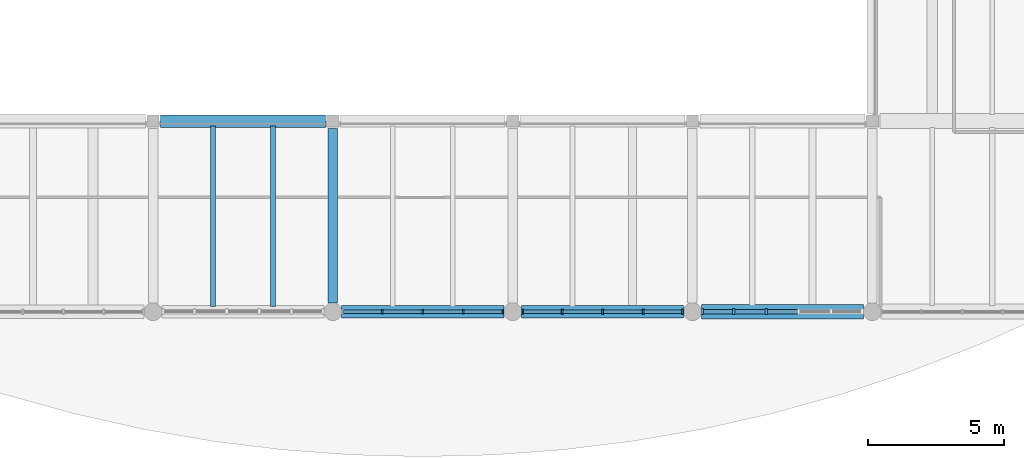
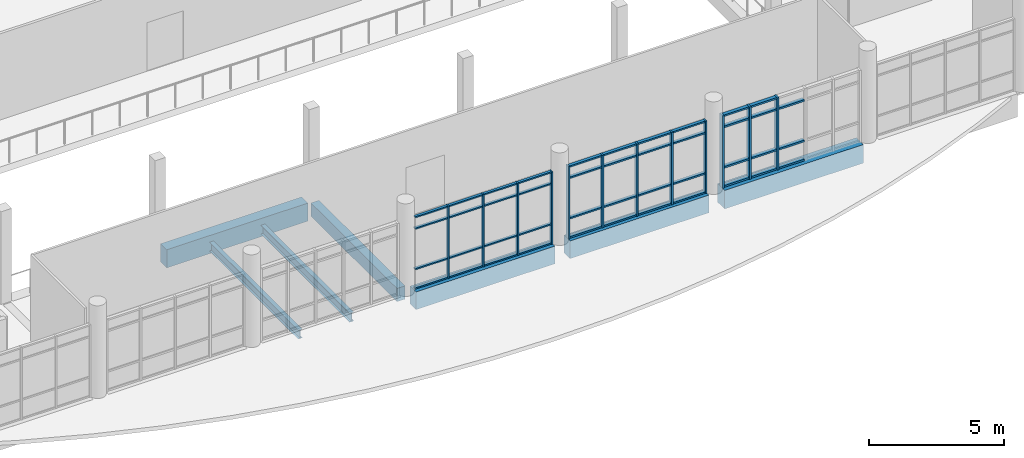
# One storey, part 9 of 92: 55 members, 7 beams, 3 elements without a shape of their own.
"""IFC4 building model written with IfcOpenShell, lengths in metres."""

from ifc_helpers import new_model, si_unit, direction, frame, origin, origin_2d, place, context, subcontext, project, spatial, rectangle, i_section, extrude, material, material_profile, profile_set, type_object, element, aggregate, save


model = new_model("IFC4")

# Units and contexts
model_context = context("Model", 3, precision=1e-05, world=origin(), true_north=direction((0.0, 1.0)))
body_context = subcontext(model_context, "Body", "Model", "MODEL_VIEW")
ifc_project = project(units=[si_unit("LENGTHUNIT", "METRE"), si_unit("AREAUNIT", "SQUARE_METRE"), si_unit("VOLUMEUNIT", "CUBIC_METRE"), si_unit("PLANEANGLEUNIT", "RADIAN"), si_unit("MASSUNIT", "GRAM", prefix="KILO")], contexts=[model_context])

# Site, building, storey
site_placement = place(None, origin())
site = spatial("IfcSite", under=ifc_project, at=site_placement, CompositionType="ELEMENT")
building_placement = place(site_placement, origin())
building = spatial("IfcBuilding", under=site, at=building_placement, Name="Ciguamira Faculty of Natural Sciences", CompositionType="ELEMENT")
storey_placement = place(building_placement, frame((0.0, 0.0, 16.800048828125)))
storey = spatial("IfcBuildingStorey", under=building, at=storey_placement, Name="L04", CompositionType="ELEMENT", Elevation=16.800048828125)

# Curtain wall, members
ifc_material_1 = material(Name="Anodized aluminium curtain wall", Category="aluminium")
curtain_wall_type_1 = type_object("IfcCurtainWallType", Name="CurtainWall_CW-01", PredefinedType="USERDEFINED", material=ifc_material_1)
curtain_wall_1_placement = place(storey_placement, origin())
curtain_wall_1 = element("IfcCurtainWall", 1, at=curtain_wall_1_placement, inside=storey, type_object=curtain_wall_type_1, Name="L04 unitised curtain wall 0109", ObjectType="UNITISED CURTAIN WALL", PredefinedType="USERDEFINED")
ifc_material_2 = material(Name="Anodized aluminium mullion", Category="aluminium")
ifc_material_profile_1 = material_profile(ifc_material_2, rectangle(XDim=0.06005859375, YDim=0.159912109375, at=origin_2d()), Name="ALU-MUL-60X160")
ifc_profile_set_1 = profile_set([ifc_material_profile_1], Name="Anodized aluminium mullion")
member_type_1 = type_object("IfcMemberType", Name="CWMullion_CWM-01", PredefinedType="MULLION", material=ifc_profile_set_1)
member_1_placement = place(storey_placement, frame((85.512451171875, 10.0, 0.0), z_axis=(0.0, 0.0, 1.0), x_axis=(1.0, 0.0, 0.0)))
member_1 = element("IfcMember", 2, at=member_1_placement, type_object=member_type_1, Name="CW-01 mullion 2", PredefinedType="MULLION", context=body_context, shape_type="SweptSolid", body=[
    extrude(rectangle(XDim=0.06005859375, YDim=0.159912109375, at=origin_2d()), origin(), (0.0, 0.0, 1.0), 3.284912109375),
])
member_2_placement = place(storey_placement, frame((87.0, 10.0, 0.0), z_axis=(0.0, 0.0, 1.0), x_axis=(1.0, 0.0, 0.0)))
member_2 = element("IfcMember", 3, at=member_2_placement, type_object=member_type_1, Name="CW-01 mullion 3", PredefinedType="MULLION", context=body_context, shape_type="SweptSolid", body=[
    extrude(rectangle(XDim=0.06005859375, YDim=0.159912109375, at=origin_2d()), origin(), (0.0, 0.0, 1.0), 3.284912109375),
])
member_3_placement = place(storey_placement, frame((88.487548828125, 10.0, 0.0), z_axis=(0.0, 0.0, 1.0), x_axis=(1.0, 0.0, 0.0)))
member_3 = element("IfcMember", 4, at=member_3_placement, type_object=member_type_1, Name="CW-01 mullion 4", PredefinedType="MULLION", context=body_context, shape_type="SweptSolid", body=[
    extrude(rectangle(XDim=0.06005859375, YDim=0.159912109375, at=origin_2d()), origin(), (0.0, 0.0, 1.0), 3.284912109375),
])
member_4_placement = place(storey_placement, frame((89.945068359375, 10.0, 0.0), z_axis=(0.0, 0.0, 1.0), x_axis=(1.0, 0.0, 0.0)))
member_4 = element("IfcMember", 5, at=member_4_placement, type_object=member_type_1, Name="CW-01 mullion 5", PredefinedType="MULLION", context=body_context, shape_type="SweptSolid", body=[
    extrude(rectangle(XDim=0.06005859375, YDim=0.159912109375, at=origin_2d()), origin(), (0.0, 0.0, 1.0), 3.284912109375),
])

curtain_wall_type_2 = type_object("IfcCurtainWallType", Name="CurtainWall_CW-02", PredefinedType="USERDEFINED", material=ifc_material_1)
curtain_wall_2_placement = place(storey_placement, origin())
curtain_wall_2 = element("IfcCurtainWall", 6, at=curtain_wall_2_placement, inside=storey, type_object=curtain_wall_type_2, Name="L04 unitised curtain wall 0110", ObjectType="UNITISED CURTAIN WALL", PredefinedType="USERDEFINED")
ifc_material_profile_2 = material_profile(ifc_material_2, rectangle(XDim=0.070068359375, YDim=0.179931640625, at=origin_2d()), Name="ALU-MUL-70X180")
ifc_profile_set_2 = profile_set([ifc_material_profile_2], Name="Anodized aluminium mullion")
member_type_2 = type_object("IfcMemberType", Name="CWMullion_CWM-02", PredefinedType="MULLION", material=ifc_profile_set_2)
member_5_placement = place(storey_placement, frame((90.659912109375, 10.0, 0.0), z_axis=(0.0, 0.0, 1.0), x_axis=(1.0, 0.0, 0.0)))
member_5 = element("IfcMember", 7, at=member_5_placement, type_object=member_type_2, Name="CW-02 mullion 1", PredefinedType="MULLION", context=body_context, shape_type="SweptSolid", body=[
    extrude(rectangle(XDim=0.070068359375, YDim=0.179931640625, at=origin_2d()), origin(), (0.0, 0.0, 1.0), 3.284912109375),
])
member_6_placement = place(storey_placement, frame((92.112548828125, 10.0, 0.0), z_axis=(0.0, 0.0, 1.0), x_axis=(1.0, 0.0, 0.0)))
member_6 = element("IfcMember", 8, at=member_6_placement, type_object=member_type_2, Name="CW-02 mullion 2", PredefinedType="MULLION", context=body_context, shape_type="SweptSolid", body=[
    extrude(rectangle(XDim=0.070068359375, YDim=0.179931640625, at=origin_2d()), origin(), (0.0, 0.0, 1.0), 3.284912109375),
])
member_7_placement = place(storey_placement, frame((93.60009765625, 10.0, 0.0), z_axis=(0.0, 0.0, 1.0), x_axis=(1.0, 0.0, 0.0)))
member_7 = element("IfcMember", 9, at=member_7_placement, type_object=member_type_2, Name="CW-02 mullion 3", PredefinedType="MULLION", context=body_context, shape_type="SweptSolid", body=[
    extrude(rectangle(XDim=0.070068359375, YDim=0.179931640625, at=origin_2d()), origin(), (0.0, 0.0, 1.0), 3.284912109375),
])
member_8_placement = place(storey_placement, frame((95.08740234375, 10.0, 0.0), z_axis=(0.0, 0.0, 1.0), x_axis=(1.0, 0.0, 0.0)))
member_8 = element("IfcMember", 10, at=member_8_placement, type_object=member_type_2, Name="CW-02 mullion 4", PredefinedType="MULLION", context=body_context, shape_type="SweptSolid", body=[
    extrude(rectangle(XDim=0.070068359375, YDim=0.179931640625, at=origin_2d()), origin(), (0.0, 0.0, 1.0), 3.284912109375),
])
member_9_placement = place(storey_placement, frame((96.5400390625, 10.0, 0.0), z_axis=(0.0, 0.0, 1.0), x_axis=(1.0, 0.0, 0.0)))
member_9 = element("IfcMember", 11, at=member_9_placement, type_object=member_type_2, Name="CW-02 mullion 5", PredefinedType="MULLION", context=body_context, shape_type="SweptSolid", body=[
    extrude(rectangle(XDim=0.070068359375, YDim=0.179931640625, at=origin_2d()), origin(), (0.0, 0.0, 1.0), 3.284912109375),
])

curtain_wall_type_3 = type_object("IfcCurtainWallType", Name="CurtainWall_CW-03", PredefinedType="USERDEFINED", material=ifc_material_1)
curtain_wall_3_placement = place(storey_placement, origin())
curtain_wall_3 = element("IfcCurtainWall", 12, at=curtain_wall_3_placement, inside=storey, type_object=curtain_wall_type_3, Name="L04 unitised curtain wall 0111", ObjectType="UNITISED CURTAIN WALL", PredefinedType="USERDEFINED")
ifc_material_profile_3 = material_profile(ifc_material_2, rectangle(XDim=0.080078125, YDim=0.219970703125, at=origin_2d()), Name="ALU-MUL-80X220")
ifc_profile_set_3 = profile_set([ifc_material_profile_3], Name="Anodized aluminium mullion")
member_type_3 = type_object("IfcMemberType", Name="CWMullion_CWM-03", PredefinedType="MULLION", material=ifc_profile_set_3)
member_10_placement = place(storey_placement, frame((97.264892578125, 10.0, 0.0), z_axis=(0.0, 0.0, 1.0), x_axis=(1.0, 0.0, 0.0)))
member_10 = element("IfcMember", 13, at=member_10_placement, type_object=member_type_3, Name="CW-03 mullion 1", PredefinedType="MULLION", context=body_context, shape_type="SweptSolid", body=[
    extrude(rectangle(XDim=0.080078125, YDim=0.219970703125, at=origin_2d()), origin(), (0.0, 0.0, 1.0), 3.284912109375),
])
member_11_placement = place(storey_placement, frame((98.4150390625, 10.0, 0.0), z_axis=(0.0, 0.0, 1.0), x_axis=(1.0, 0.0, 0.0)))
member_11 = element("IfcMember", 14, at=member_11_placement, type_object=member_type_3, Name="CW-03 mullion 2", PredefinedType="MULLION", context=body_context, shape_type="SweptSolid", body=[
    extrude(rectangle(XDim=0.080078125, YDim=0.219970703125, at=origin_2d()), origin(), (0.0, 0.0, 1.0), 3.284912109375),
])
member_12_placement = place(storey_placement, frame((99.60498046875, 10.0, 0.0), z_axis=(0.0, 0.0, 1.0), x_axis=(1.0, 0.0, 0.0)))
member_12 = element("IfcMember", 15, at=member_12_placement, type_object=member_type_3, Name="CW-03 mullion 3", PredefinedType="MULLION", context=body_context, shape_type="SweptSolid", body=[
    extrude(rectangle(XDim=0.080078125, YDim=0.219970703125, at=origin_2d()), origin(), (0.0, 0.0, 1.0), 3.284912109375),
])

# Member
ifc_material_3 = material(Name="Anodized aluminium transom", Category="aluminium")
ifc_material_profile_4 = material_profile(ifc_material_3, rectangle(XDim=0.06005859375, YDim=0.1201171875, at=origin_2d()), Name="ALU-TRN-60X120")
ifc_profile_set_4 = profile_set([ifc_material_profile_4], Name="Anodized aluminium transom")
member_type_4 = type_object("IfcMemberType", Name="CWTransom_CWT-01", PredefinedType="USERDEFINED", material=ifc_profile_set_4)
member_13_placement = place(storey_placement, frame((84.0849609375, 10.0, 0.030029296875), z_axis=(1.0, 0.0, 0.0), x_axis=(0.0, 0.0, 1.0)))
member_13 = element("IfcMember", 16, at=member_13_placement, type_object=member_type_4, Name="CW-01 transom 1.1", ObjectType="TRANSOM", PredefinedType="USERDEFINED", context=body_context, shape_type="SweptSolid", body=[
    extrude(rectangle(XDim=0.06005859375, YDim=0.1201171875, at=origin_2d()), origin(), (0.0, 0.0, 1.0), 1.3974609375),
])

member_14_placement = place(storey_placement, frame((84.0849609375, 10.0, 0.89990234375), z_axis=(1.0, 0.0, 0.0), x_axis=(0.0, 0.0, 1.0)))
member_14 = element("IfcMember", 17, at=member_14_placement, type_object=member_type_4, Name="CW-01 transom 1.2", ObjectType="TRANSOM", PredefinedType="USERDEFINED", context=body_context, shape_type="SweptSolid", body=[
    extrude(rectangle(XDim=0.06005859375, YDim=0.1201171875, at=origin_2d()), origin(), (0.0, 0.0, 1.0), 1.3974609375),
])

member_15_placement = place(storey_placement, frame((84.0849609375, 10.0, 2.73486328125), z_axis=(1.0, 0.0, 0.0), x_axis=(0.0, 0.0, 1.0)))
member_15 = element("IfcMember", 18, at=member_15_placement, type_object=member_type_4, Name="CW-01 transom 1.3", ObjectType="TRANSOM", PredefinedType="USERDEFINED", context=body_context, shape_type="SweptSolid", body=[
    extrude(rectangle(XDim=0.06005859375, YDim=0.1201171875, at=origin_2d()), origin(), (0.0, 0.0, 1.0), 1.3974609375),
])

member_16_placement = place(storey_placement, frame((84.0849609375, 10.0, 3.2548828125), z_axis=(1.0, 0.0, 0.0), x_axis=(0.0, 0.0, 1.0)))
member_16 = element("IfcMember", 19, at=member_16_placement, type_object=member_type_4, Name="CW-01 transom 1.4", ObjectType="TRANSOM", PredefinedType="USERDEFINED", context=body_context, shape_type="SweptSolid", body=[
    extrude(rectangle(XDim=0.06005859375, YDim=0.1201171875, at=origin_2d()), origin(), (0.0, 0.0, 1.0), 1.3974609375),
])

member_17_placement = place(storey_placement, frame((85.54248046875, 10.0, 0.030029296875), z_axis=(1.0, 0.0, 0.0), x_axis=(0.0, 0.0, 1.0)))
member_17 = element("IfcMember", 20, at=member_17_placement, type_object=member_type_4, Name="CW-01 transom 2.1", ObjectType="TRANSOM", PredefinedType="USERDEFINED", context=body_context, shape_type="SweptSolid", body=[
    extrude(rectangle(XDim=0.06005859375, YDim=0.1201171875, at=origin_2d()), origin(), (0.0, 0.0, 1.0), 1.427490234375),
])

member_18_placement = place(storey_placement, frame((85.54248046875, 10.0, 0.89990234375), z_axis=(1.0, 0.0, 0.0), x_axis=(0.0, 0.0, 1.0)))
member_18 = element("IfcMember", 21, at=member_18_placement, type_object=member_type_4, Name="CW-01 transom 2.2", ObjectType="TRANSOM", PredefinedType="USERDEFINED", context=body_context, shape_type="SweptSolid", body=[
    extrude(rectangle(XDim=0.06005859375, YDim=0.1201171875, at=origin_2d()), origin(), (0.0, 0.0, 1.0), 1.427490234375),
])

member_19_placement = place(storey_placement, frame((85.54248046875, 10.0, 2.73486328125), z_axis=(1.0, 0.0, 0.0), x_axis=(0.0, 0.0, 1.0)))
member_19 = element("IfcMember", 22, at=member_19_placement, type_object=member_type_4, Name="CW-01 transom 2.3", ObjectType="TRANSOM", PredefinedType="USERDEFINED", context=body_context, shape_type="SweptSolid", body=[
    extrude(rectangle(XDim=0.06005859375, YDim=0.1201171875, at=origin_2d()), origin(), (0.0, 0.0, 1.0), 1.427490234375),
])

member_20_placement = place(storey_placement, frame((85.54248046875, 10.0, 3.2548828125), z_axis=(1.0, 0.0, 0.0), x_axis=(0.0, 0.0, 1.0)))
member_20 = element("IfcMember", 23, at=member_20_placement, type_object=member_type_4, Name="CW-01 transom 2.4", ObjectType="TRANSOM", PredefinedType="USERDEFINED", context=body_context, shape_type="SweptSolid", body=[
    extrude(rectangle(XDim=0.06005859375, YDim=0.1201171875, at=origin_2d()), origin(), (0.0, 0.0, 1.0), 1.427490234375),
])

member_21_placement = place(storey_placement, frame((87.030029296875, 10.0, 0.030029296875), z_axis=(1.0, 0.0, 0.0), x_axis=(0.0, 0.0, 1.0)))
member_21 = element("IfcMember", 24, at=member_21_placement, type_object=member_type_4, Name="CW-01 transom 3.1", ObjectType="TRANSOM", PredefinedType="USERDEFINED", context=body_context, shape_type="SweptSolid", body=[
    extrude(rectangle(XDim=0.06005859375, YDim=0.1201171875, at=origin_2d()), origin(), (0.0, 0.0, 1.0), 1.427490234375),
])

member_22_placement = place(storey_placement, frame((87.030029296875, 10.0, 0.89990234375), z_axis=(1.0, 0.0, 0.0), x_axis=(0.0, 0.0, 1.0)))
member_22 = element("IfcMember", 25, at=member_22_placement, type_object=member_type_4, Name="CW-01 transom 3.2", ObjectType="TRANSOM", PredefinedType="USERDEFINED", context=body_context, shape_type="SweptSolid", body=[
    extrude(rectangle(XDim=0.06005859375, YDim=0.1201171875, at=origin_2d()), origin(), (0.0, 0.0, 1.0), 1.427490234375),
])

member_23_placement = place(storey_placement, frame((87.030029296875, 10.0, 2.73486328125), z_axis=(1.0, 0.0, 0.0), x_axis=(0.0, 0.0, 1.0)))
member_23 = element("IfcMember", 26, at=member_23_placement, type_object=member_type_4, Name="CW-01 transom 3.3", ObjectType="TRANSOM", PredefinedType="USERDEFINED", context=body_context, shape_type="SweptSolid", body=[
    extrude(rectangle(XDim=0.06005859375, YDim=0.1201171875, at=origin_2d()), origin(), (0.0, 0.0, 1.0), 1.427490234375),
])

member_24_placement = place(storey_placement, frame((87.030029296875, 10.0, 3.2548828125), z_axis=(1.0, 0.0, 0.0), x_axis=(0.0, 0.0, 1.0)))
member_24 = element("IfcMember", 27, at=member_24_placement, type_object=member_type_4, Name="CW-01 transom 3.4", ObjectType="TRANSOM", PredefinedType="USERDEFINED", context=body_context, shape_type="SweptSolid", body=[
    extrude(rectangle(XDim=0.06005859375, YDim=0.1201171875, at=origin_2d()), origin(), (0.0, 0.0, 1.0), 1.427490234375),
])

member_25_placement = place(storey_placement, frame((88.517578125, 10.0, 0.030029296875), z_axis=(1.0, 0.0, 0.0), x_axis=(0.0, 0.0, 1.0)))
member_25 = element("IfcMember", 28, at=member_25_placement, type_object=member_type_4, Name="CW-01 transom 4.1", ObjectType="TRANSOM", PredefinedType="USERDEFINED", context=body_context, shape_type="SweptSolid", body=[
    extrude(rectangle(XDim=0.06005859375, YDim=0.1201171875, at=origin_2d()), origin(), (0.0, 0.0, 1.0), 1.3974609375),
])

member_26_placement = place(storey_placement, frame((88.517578125, 10.0, 0.89990234375), z_axis=(1.0, 0.0, 0.0), x_axis=(0.0, 0.0, 1.0)))
member_26 = element("IfcMember", 29, at=member_26_placement, type_object=member_type_4, Name="CW-01 transom 4.2", ObjectType="TRANSOM", PredefinedType="USERDEFINED", context=body_context, shape_type="SweptSolid", body=[
    extrude(rectangle(XDim=0.06005859375, YDim=0.1201171875, at=origin_2d()), origin(), (0.0, 0.0, 1.0), 1.3974609375),
])

member_27_placement = place(storey_placement, frame((88.517578125, 10.0, 2.73486328125), z_axis=(1.0, 0.0, 0.0), x_axis=(0.0, 0.0, 1.0)))
member_27 = element("IfcMember", 30, at=member_27_placement, type_object=member_type_4, Name="CW-01 transom 4.3", ObjectType="TRANSOM", PredefinedType="USERDEFINED", context=body_context, shape_type="SweptSolid", body=[
    extrude(rectangle(XDim=0.06005859375, YDim=0.1201171875, at=origin_2d()), origin(), (0.0, 0.0, 1.0), 1.3974609375),
])

member_28_placement = place(storey_placement, frame((88.517578125, 10.0, 3.2548828125), z_axis=(1.0, 0.0, 0.0), x_axis=(0.0, 0.0, 1.0)))
member_28 = element("IfcMember", 31, at=member_28_placement, type_object=member_type_4, Name="CW-01 transom 4.4", ObjectType="TRANSOM", PredefinedType="USERDEFINED", context=body_context, shape_type="SweptSolid", body=[
    extrude(rectangle(XDim=0.06005859375, YDim=0.1201171875, at=origin_2d()), origin(), (0.0, 0.0, 1.0), 1.3974609375),
])

aggregate(curtain_wall_1, [member_1, member_2, member_3, member_4, member_13, member_14, member_15, member_16, member_17, member_18, member_19, member_20, member_21, member_22, member_23, member_24, member_25, member_26, member_27, member_28])

ifc_material_profile_5 = material_profile(ifc_material_3, rectangle(XDim=0.070068359375, YDim=0.139892578125, at=origin_2d()), Name="ALU-TRN-70X140")
ifc_profile_set_5 = profile_set([ifc_material_profile_5], Name="Anodized aluminium transom")
member_type_5 = type_object("IfcMemberType", Name="CWTransom_CWT-02", PredefinedType="USERDEFINED", material=ifc_profile_set_5)
member_29_placement = place(storey_placement, frame((90.695068359375, 10.0, 0.034912109375), z_axis=(1.0, 0.0, 0.0), x_axis=(0.0, 0.0, 1.0)))
member_29 = element("IfcMember", 32, at=member_29_placement, type_object=member_type_5, Name="CW-02 transom 1.1", ObjectType="TRANSOM", PredefinedType="USERDEFINED", context=body_context, shape_type="SweptSolid", body=[
    extrude(rectangle(XDim=0.070068359375, YDim=0.139892578125, at=origin_2d()), origin(), (0.0, 0.0, 1.0), 1.38232421875),
])

member_30_placement = place(storey_placement, frame((90.695068359375, 10.0, 0.89990234375), z_axis=(1.0, 0.0, 0.0), x_axis=(0.0, 0.0, 1.0)))
member_30 = element("IfcMember", 33, at=member_30_placement, type_object=member_type_5, Name="CW-02 transom 1.2", ObjectType="TRANSOM", PredefinedType="USERDEFINED", context=body_context, shape_type="SweptSolid", body=[
    extrude(rectangle(XDim=0.070068359375, YDim=0.139892578125, at=origin_2d()), origin(), (0.0, 0.0, 1.0), 1.38232421875),
])

member_31_placement = place(storey_placement, frame((90.695068359375, 10.0, 2.73486328125), z_axis=(1.0, 0.0, 0.0), x_axis=(0.0, 0.0, 1.0)))
member_31 = element("IfcMember", 34, at=member_31_placement, type_object=member_type_5, Name="CW-02 transom 1.3", ObjectType="TRANSOM", PredefinedType="USERDEFINED", context=body_context, shape_type="SweptSolid", body=[
    extrude(rectangle(XDim=0.070068359375, YDim=0.139892578125, at=origin_2d()), origin(), (0.0, 0.0, 1.0), 1.38232421875),
])

member_32_placement = place(storey_placement, frame((90.695068359375, 10.0, 3.25), z_axis=(1.0, 0.0, 0.0), x_axis=(0.0, 0.0, 1.0)))
member_32 = element("IfcMember", 35, at=member_32_placement, type_object=member_type_5, Name="CW-02 transom 1.4", ObjectType="TRANSOM", PredefinedType="USERDEFINED", context=body_context, shape_type="SweptSolid", body=[
    extrude(rectangle(XDim=0.070068359375, YDim=0.139892578125, at=origin_2d()), origin(), (0.0, 0.0, 1.0), 1.38232421875),
])

member_33_placement = place(storey_placement, frame((92.1474609375, 10.0, 0.034912109375), z_axis=(1.0, 0.0, 0.0), x_axis=(0.0, 0.0, 1.0)))
member_33 = element("IfcMember", 36, at=member_33_placement, type_object=member_type_5, Name="CW-02 transom 2.1", ObjectType="TRANSOM", PredefinedType="USERDEFINED", context=body_context, shape_type="SweptSolid", body=[
    extrude(rectangle(XDim=0.070068359375, YDim=0.139892578125, at=origin_2d()), origin(), (0.0, 0.0, 1.0), 1.41748046875),
])

member_34_placement = place(storey_placement, frame((92.1474609375, 10.0, 0.89990234375), z_axis=(1.0, 0.0, 0.0), x_axis=(0.0, 0.0, 1.0)))
member_34 = element("IfcMember", 37, at=member_34_placement, type_object=member_type_5, Name="CW-02 transom 2.2", ObjectType="TRANSOM", PredefinedType="USERDEFINED", context=body_context, shape_type="SweptSolid", body=[
    extrude(rectangle(XDim=0.070068359375, YDim=0.139892578125, at=origin_2d()), origin(), (0.0, 0.0, 1.0), 1.41748046875),
])

member_35_placement = place(storey_placement, frame((92.1474609375, 10.0, 2.73486328125), z_axis=(1.0, 0.0, 0.0), x_axis=(0.0, 0.0, 1.0)))
member_35 = element("IfcMember", 38, at=member_35_placement, type_object=member_type_5, Name="CW-02 transom 2.3", ObjectType="TRANSOM", PredefinedType="USERDEFINED", context=body_context, shape_type="SweptSolid", body=[
    extrude(rectangle(XDim=0.070068359375, YDim=0.139892578125, at=origin_2d()), origin(), (0.0, 0.0, 1.0), 1.41748046875),
])

member_36_placement = place(storey_placement, frame((92.1474609375, 10.0, 3.25), z_axis=(1.0, 0.0, 0.0), x_axis=(0.0, 0.0, 1.0)))
member_36 = element("IfcMember", 39, at=member_36_placement, type_object=member_type_5, Name="CW-02 transom 2.4", ObjectType="TRANSOM", PredefinedType="USERDEFINED", context=body_context, shape_type="SweptSolid", body=[
    extrude(rectangle(XDim=0.070068359375, YDim=0.139892578125, at=origin_2d()), origin(), (0.0, 0.0, 1.0), 1.41748046875),
])

member_37_placement = place(storey_placement, frame((93.635009765625, 10.0, 0.034912109375), z_axis=(1.0, 0.0, 0.0), x_axis=(0.0, 0.0, 1.0)))
member_37 = element("IfcMember", 40, at=member_37_placement, type_object=member_type_5, Name="CW-02 transom 3.1", ObjectType="TRANSOM", PredefinedType="USERDEFINED", context=body_context, shape_type="SweptSolid", body=[
    extrude(rectangle(XDim=0.070068359375, YDim=0.139892578125, at=origin_2d()), origin(), (0.0, 0.0, 1.0), 1.41748046875),
])

member_38_placement = place(storey_placement, frame((93.635009765625, 10.0, 0.89990234375), z_axis=(1.0, 0.0, 0.0), x_axis=(0.0, 0.0, 1.0)))
member_38 = element("IfcMember", 41, at=member_38_placement, type_object=member_type_5, Name="CW-02 transom 3.2", ObjectType="TRANSOM", PredefinedType="USERDEFINED", context=body_context, shape_type="SweptSolid", body=[
    extrude(rectangle(XDim=0.070068359375, YDim=0.139892578125, at=origin_2d()), origin(), (0.0, 0.0, 1.0), 1.41748046875),
])

member_39_placement = place(storey_placement, frame((93.635009765625, 10.0, 2.73486328125), z_axis=(1.0, 0.0, 0.0), x_axis=(0.0, 0.0, 1.0)))
member_39 = element("IfcMember", 42, at=member_39_placement, type_object=member_type_5, Name="CW-02 transom 3.3", ObjectType="TRANSOM", PredefinedType="USERDEFINED", context=body_context, shape_type="SweptSolid", body=[
    extrude(rectangle(XDim=0.070068359375, YDim=0.139892578125, at=origin_2d()), origin(), (0.0, 0.0, 1.0), 1.41748046875),
])

member_40_placement = place(storey_placement, frame((93.635009765625, 10.0, 3.25), z_axis=(1.0, 0.0, 0.0), x_axis=(0.0, 0.0, 1.0)))
member_40 = element("IfcMember", 43, at=member_40_placement, type_object=member_type_5, Name="CW-02 transom 3.4", ObjectType="TRANSOM", PredefinedType="USERDEFINED", context=body_context, shape_type="SweptSolid", body=[
    extrude(rectangle(XDim=0.070068359375, YDim=0.139892578125, at=origin_2d()), origin(), (0.0, 0.0, 1.0), 1.41748046875),
])

member_41_placement = place(storey_placement, frame((95.12255859375, 10.0, 0.034912109375), z_axis=(1.0, 0.0, 0.0), x_axis=(0.0, 0.0, 1.0)))
member_41 = element("IfcMember", 44, at=member_41_placement, type_object=member_type_5, Name="CW-02 transom 4.1", ObjectType="TRANSOM", PredefinedType="USERDEFINED", context=body_context, shape_type="SweptSolid", body=[
    extrude(rectangle(XDim=0.070068359375, YDim=0.139892578125, at=origin_2d()), origin(), (0.0, 0.0, 1.0), 1.38232421875),
])

member_42_placement = place(storey_placement, frame((95.12255859375, 10.0, 0.89990234375), z_axis=(1.0, 0.0, 0.0), x_axis=(0.0, 0.0, 1.0)))
member_42 = element("IfcMember", 45, at=member_42_placement, type_object=member_type_5, Name="CW-02 transom 4.2", ObjectType="TRANSOM", PredefinedType="USERDEFINED", context=body_context, shape_type="SweptSolid", body=[
    extrude(rectangle(XDim=0.070068359375, YDim=0.139892578125, at=origin_2d()), origin(), (0.0, 0.0, 1.0), 1.38232421875),
])

member_43_placement = place(storey_placement, frame((95.12255859375, 10.0, 2.73486328125), z_axis=(1.0, 0.0, 0.0), x_axis=(0.0, 0.0, 1.0)))
member_43 = element("IfcMember", 46, at=member_43_placement, type_object=member_type_5, Name="CW-02 transom 4.3", ObjectType="TRANSOM", PredefinedType="USERDEFINED", context=body_context, shape_type="SweptSolid", body=[
    extrude(rectangle(XDim=0.070068359375, YDim=0.139892578125, at=origin_2d()), origin(), (0.0, 0.0, 1.0), 1.38232421875),
])

member_44_placement = place(storey_placement, frame((95.12255859375, 10.0, 3.25), z_axis=(1.0, 0.0, 0.0), x_axis=(0.0, 0.0, 1.0)))
member_44 = element("IfcMember", 47, at=member_44_placement, type_object=member_type_5, Name="CW-02 transom 4.4", ObjectType="TRANSOM", PredefinedType="USERDEFINED", context=body_context, shape_type="SweptSolid", body=[
    extrude(rectangle(XDim=0.070068359375, YDim=0.139892578125, at=origin_2d()), origin(), (0.0, 0.0, 1.0), 1.38232421875),
])

aggregate(curtain_wall_2, [member_5, member_6, member_7, member_8, member_9, member_29, member_30, member_31, member_32, member_33, member_34, member_35, member_36, member_37, member_38, member_39, member_40, member_41, member_42, member_43, member_44])

ifc_material_profile_6 = material_profile(ifc_material_3, rectangle(XDim=0.080078125, YDim=0.159912109375, at=origin_2d()), Name="ALU-TRN-80X160")
ifc_profile_set_6 = profile_set([ifc_material_profile_6], Name="Anodized aluminium transom")
member_type_6 = type_object("IfcMemberType", Name="CWTransom_CWT-03", PredefinedType="USERDEFINED", material=ifc_profile_set_6)
member_45_placement = place(storey_placement, frame((97.304931640625, 10.0, 0.0400390625), z_axis=(1.0, 0.0, 0.0), x_axis=(0.0, 0.0, 1.0)))
member_45 = element("IfcMember", 48, at=member_45_placement, type_object=member_type_6, Name="CW-03 transom 1.1", ObjectType="TRANSOM", PredefinedType="USERDEFINED", context=body_context, shape_type="SweptSolid", body=[
    extrude(rectangle(XDim=0.080078125, YDim=0.159912109375, at=origin_2d()), origin(), (0.0, 0.0, 1.0), 1.070068359375),
])

member_46_placement = place(storey_placement, frame((97.304931640625, 10.0, 0.89990234375), z_axis=(1.0, 0.0, 0.0), x_axis=(0.0, 0.0, 1.0)))
member_46 = element("IfcMember", 49, at=member_46_placement, type_object=member_type_6, Name="CW-03 transom 1.2", ObjectType="TRANSOM", PredefinedType="USERDEFINED", context=body_context, shape_type="SweptSolid", body=[
    extrude(rectangle(XDim=0.080078125, YDim=0.159912109375, at=origin_2d()), origin(), (0.0, 0.0, 1.0), 1.070068359375),
])

member_47_placement = place(storey_placement, frame((97.304931640625, 10.0, 2.73486328125), z_axis=(1.0, 0.0, 0.0), x_axis=(0.0, 0.0, 1.0)))
member_47 = element("IfcMember", 50, at=member_47_placement, type_object=member_type_6, Name="CW-03 transom 1.3", ObjectType="TRANSOM", PredefinedType="USERDEFINED", context=body_context, shape_type="SweptSolid", body=[
    extrude(rectangle(XDim=0.080078125, YDim=0.159912109375, at=origin_2d()), origin(), (0.0, 0.0, 1.0), 1.070068359375),
])

member_48_placement = place(storey_placement, frame((97.304931640625, 10.0, 3.244873046875), z_axis=(1.0, 0.0, 0.0), x_axis=(0.0, 0.0, 1.0)))
member_48 = element("IfcMember", 51, at=member_48_placement, type_object=member_type_6, Name="CW-03 transom 1.4", ObjectType="TRANSOM", PredefinedType="USERDEFINED", context=body_context, shape_type="SweptSolid", body=[
    extrude(rectangle(XDim=0.080078125, YDim=0.159912109375, at=origin_2d()), origin(), (0.0, 0.0, 1.0), 1.070068359375),
])

member_49_placement = place(storey_placement, frame((98.455078125, 10.0, 0.0400390625), z_axis=(1.0, 0.0, 0.0), x_axis=(0.0, 0.0, 1.0)))
member_49 = element("IfcMember", 52, at=member_49_placement, type_object=member_type_6, Name="CW-03 transom 2.1", ObjectType="TRANSOM", PredefinedType="USERDEFINED", context=body_context, shape_type="SweptSolid", body=[
    extrude(rectangle(XDim=0.080078125, YDim=0.159912109375, at=origin_2d()), origin(), (0.0, 0.0, 1.0), 1.10986328125),
])

member_50_placement = place(storey_placement, frame((98.455078125, 10.0, 0.89990234375), z_axis=(1.0, 0.0, 0.0), x_axis=(0.0, 0.0, 1.0)))
member_50 = element("IfcMember", 53, at=member_50_placement, type_object=member_type_6, Name="CW-03 transom 2.2", ObjectType="TRANSOM", PredefinedType="USERDEFINED", context=body_context, shape_type="SweptSolid", body=[
    extrude(rectangle(XDim=0.080078125, YDim=0.159912109375, at=origin_2d()), origin(), (0.0, 0.0, 1.0), 1.10986328125),
])

member_51_placement = place(storey_placement, frame((98.455078125, 10.0, 2.73486328125), z_axis=(1.0, 0.0, 0.0), x_axis=(0.0, 0.0, 1.0)))
member_51 = element("IfcMember", 54, at=member_51_placement, type_object=member_type_6, Name="CW-03 transom 2.3", ObjectType="TRANSOM", PredefinedType="USERDEFINED", context=body_context, shape_type="SweptSolid", body=[
    extrude(rectangle(XDim=0.080078125, YDim=0.159912109375, at=origin_2d()), origin(), (0.0, 0.0, 1.0), 1.10986328125),
])

member_52_placement = place(storey_placement, frame((98.455078125, 10.0, 3.244873046875), z_axis=(1.0, 0.0, 0.0), x_axis=(0.0, 0.0, 1.0)))
member_52 = element("IfcMember", 55, at=member_52_placement, type_object=member_type_6, Name="CW-03 transom 2.4", ObjectType="TRANSOM", PredefinedType="USERDEFINED", context=body_context, shape_type="SweptSolid", body=[
    extrude(rectangle(XDim=0.080078125, YDim=0.159912109375, at=origin_2d()), origin(), (0.0, 0.0, 1.0), 1.10986328125),
])

member_53_placement = place(storey_placement, frame((99.64501953125, 10.0, 0.0400390625), z_axis=(1.0, 0.0, 0.0), x_axis=(0.0, 0.0, 1.0)))
member_53 = element("IfcMember", 56, at=member_53_placement, type_object=member_type_6, Name="CW-03 transom 3.1", ObjectType="TRANSOM", PredefinedType="USERDEFINED", context=body_context, shape_type="SweptSolid", body=[
    extrude(rectangle(XDim=0.080078125, YDim=0.159912109375, at=origin_2d()), origin(), (0.0, 0.0, 1.0), 1.10986328125),
])

member_54_placement = place(storey_placement, frame((99.64501953125, 10.0, 0.89990234375), z_axis=(1.0, 0.0, 0.0), x_axis=(0.0, 0.0, 1.0)))
member_54 = element("IfcMember", 57, at=member_54_placement, type_object=member_type_6, Name="CW-03 transom 3.2", ObjectType="TRANSOM", PredefinedType="USERDEFINED", context=body_context, shape_type="SweptSolid", body=[
    extrude(rectangle(XDim=0.080078125, YDim=0.159912109375, at=origin_2d()), origin(), (0.0, 0.0, 1.0), 1.10986328125),
])

member_55_placement = place(storey_placement, frame((99.64501953125, 10.0, 2.73486328125), z_axis=(1.0, 0.0, 0.0), x_axis=(0.0, 0.0, 1.0)))
member_55 = element("IfcMember", 58, at=member_55_placement, type_object=member_type_6, Name="CW-03 transom 3.3", ObjectType="TRANSOM", PredefinedType="USERDEFINED", context=body_context, shape_type="SweptSolid", body=[
    extrude(rectangle(XDim=0.080078125, YDim=0.159912109375, at=origin_2d()), origin(), (0.0, 0.0, 1.0), 1.10986328125),
])

aggregate(curtain_wall_3, [member_10, member_11, member_12, member_45, member_46, member_47, member_48, member_49, member_50, member_51, member_52, member_53, member_54, member_55])

# Beams
ifc_material_4 = material(Name="Concrete C40/50", Category="concrete")
ifc_material_profile_7 = material_profile(ifc_material_4, rectangle(XDim=0.4599609375, YDim=0.820068359375, at=origin_2d()), Name="RC-BM-460X820")
ifc_profile_set_7 = profile_set([ifc_material_profile_7], Name="Concrete C40/50")
beam_type_1 = type_object("IfcBeamType", Name="RCBeam_BG-04_RC-BM-460X820", PredefinedType="BEAM", material=ifc_profile_set_7)
beam_1_placement = place(storey_placement, frame((77.375, 17.0, -0.41015625), z_axis=(1.0, 0.0, 0.0), x_axis=(0.0, 1.0, 0.0)))
element("IfcBeam", 59, at=beam_1_placement, inside=storey, type_object=beam_type_1, Name="L04 RC girder EW-1338", PredefinedType="BEAM", context=body_context, shape_type="SweptSolid", body=[
    extrude(rectangle(XDim=0.4599609375, YDim=0.820068359375, at=origin_2d()), origin(), (0.0, 0.0, 1.0), 6.050048828125),
])
ifc_material_profile_8 = material_profile(ifc_material_4, rectangle(XDim=0.449951171875, YDim=0.800048828125, at=origin_2d()), Name="RC-BM-450X800")
ifc_profile_set_8 = profile_set([ifc_material_profile_8], Name="Concrete C40/50")
beam_type_2 = type_object("IfcBeamType", Name="RCBeam_BG-05_RC-BM-450X800", PredefinedType="BEAM", material=ifc_profile_set_8)
beam_2_placement = place(storey_placement, frame((84.02490234375, 10.0, -0.400146484375), z_axis=(1.0, 0.0, 0.0), x_axis=(0.0, 1.0, 0.0)))
element("IfcBeam", 60, at=beam_2_placement, inside=storey, type_object=beam_type_2, Name="L04 RC girder EW-1328", PredefinedType="BEAM", context=body_context, shape_type="SweptSolid", body=[
    extrude(rectangle(XDim=0.449951171875, YDim=0.800048828125, at=origin_2d()), origin(), (0.0, 0.0, 1.0), 5.9501953125),
])
beam_3_placement = place(storey_placement, frame((90.625, 10.0, -0.400146484375), z_axis=(1.0, 0.0, 0.0), x_axis=(0.0, 1.0, 0.0)))
element("IfcBeam", 61, at=beam_3_placement, inside=storey, type_object=beam_type_2, Name="L04 RC girder EW-1329", PredefinedType="BEAM", context=body_context, shape_type="SweptSolid", body=[
    extrude(rectangle(XDim=0.449951171875, YDim=0.800048828125, at=origin_2d()), origin(), (0.0, 0.0, 1.0), 5.949951171875),
])
ifc_material_profile_9 = material_profile(ifc_material_4, rectangle(XDim=0.35009765625, YDim=0.60009765625, at=origin_2d()), Name="RC-BM-350X600")
ifc_profile_set_9 = profile_set([ifc_material_profile_9], Name="Concrete C40/50")
beam_type_3 = type_object("IfcBeamType", Name="RCBeam_BG-11_RC-BM-350X600", PredefinedType="BEAM", material=ifc_profile_set_9)
beam_4_placement = place(storey_placement, frame((83.699951171875, 10.324951171875, -0.300048828125), z_axis=(0.0, 1.0, 0.0), x_axis=(-1.0, 0.0, 0.0)))
element("IfcBeam", 62, at=beam_4_placement, inside=storey, type_object=beam_type_3, Name="L04 girder NS-1409", PredefinedType="BEAM", context=body_context, shape_type="SweptSolid", body=[
    extrude(rectangle(XDim=0.35009765625, YDim=0.60009765625, at=origin_2d()), origin(), (0.0, 0.0, 1.0), 6.400146484375),
])
ifc_material_profile_10 = material_profile(ifc_material_4, rectangle(XDim=0.52001953125, YDim=0.840087890625, at=origin_2d()), Name="RC-TB-520X840")
ifc_profile_set_10 = profile_set([ifc_material_profile_10], Name="Concrete C40/50")
beam_type_4 = type_object("IfcBeamType", Name="RCBeam_TB-02_RC-TB-520X840", PredefinedType="T_BEAM", material=ifc_profile_set_10)
beam_5_placement = place(storey_placement, frame((97.22509765625, 10.0, -0.420166015625), z_axis=(1.0, 0.0, 0.0), x_axis=(0.0, 1.0, 0.0)))
element("IfcBeam", 63, at=beam_5_placement, inside=storey, type_object=beam_type_4, Name="L04 RC girder EW-1330", PredefinedType="T_BEAM", context=body_context, shape_type="SweptSolid", body=[
    extrude(rectangle(XDim=0.52001953125, YDim=0.840087890625, at=origin_2d()), origin(), (0.0, 0.0, 1.0), 5.949951171875),
])
ifc_material_5 = material(Name="Steel ASTM A992 Grade 50", Category="steel")
ifc_material_profile_11 = material_profile(ifc_material_5, i_section(OverallWidth=0.177490234375, OverallDepth=0.40380859375, WebThickness=0.007568359375, FlangeThickness=0.010986328125, at=origin_2d()), Name="W16X36")
ifc_profile_set_11 = profile_set([ifc_material_profile_11], Name="Steel ASTM A992 Grade 50")
beam_type_5 = type_object("IfcBeamType", Name="SteelJoist_SJ-18_W16X36", PredefinedType="JOIST", material=ifc_profile_set_11)
beam_6_placement = place(storey_placement, frame((79.300048828125, 10.18994140625, -0.501953125), z_axis=(0.0, 1.0, 0.0), x_axis=(-1.0, 0.0, 0.0)))
element("IfcBeam", 64, at=beam_6_placement, inside=storey, type_object=beam_type_5, Name="L04 composite steel joist 01298", PredefinedType="JOIST", context=body_context, shape_type="SweptSolid", body=[
    extrude(i_section(OverallWidth=0.177490234375, OverallDepth=0.40380859375, WebThickness=0.007568359375, FlangeThickness=0.010986328125, at=origin_2d()), origin(), (0.0, 0.0, 1.0), 6.6201171875),
])
ifc_material_profile_12 = material_profile(ifc_material_5, i_section(OverallWidth=0.1787109375, OverallDepth=0.408935546875, WebThickness=0.0087890625, FlangeThickness=0.014404296875, at=origin_2d()), Name="W16X45")
ifc_profile_set_12 = profile_set([ifc_material_profile_12], Name="Steel ASTM A992 Grade 50")
beam_type_6 = type_object("IfcBeamType", Name="SteelJoist_SJ-19_W16X45", PredefinedType="JOIST", material=ifc_profile_set_12)
beam_7_placement = place(storey_placement, frame((81.5, 10.18994140625, -0.504638671875), z_axis=(0.0, 1.0, 0.0), x_axis=(-1.0, 0.0, 0.0)))
element("IfcBeam", 65, at=beam_7_placement, inside=storey, type_object=beam_type_6, Name="L04 composite steel joist 01299", PredefinedType="JOIST", context=body_context, shape_type="SweptSolid", body=[
    extrude(i_section(OverallWidth=0.1787109375, OverallDepth=0.408935546875, WebThickness=0.0087890625, FlangeThickness=0.014404296875, at=origin_2d()), origin(), (0.0, 0.0, 1.0), 6.6201171875),
])

save(model, "model.ifc")
